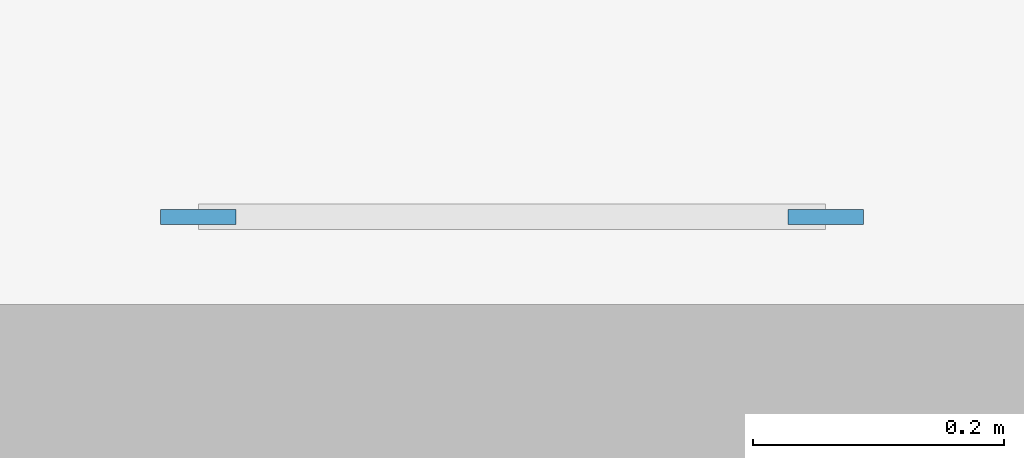
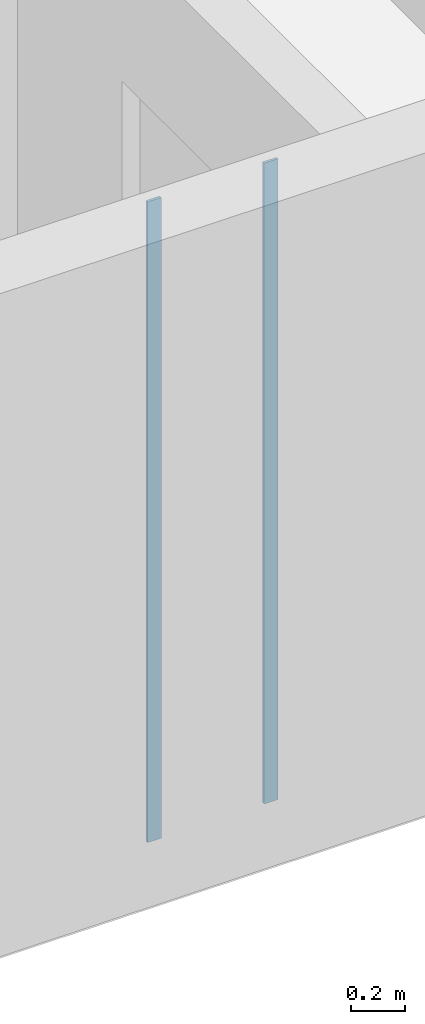
# One storey, part 15 of 122: 2 members.
"""IFC4 building model written with IfcOpenShell, lengths in metres."""

from ifc_helpers import new_model, si_unit, direction, frame, origin, origin_2d, place, context, subcontext, project, spatial, rectangle, extrude, material, material_profile, profile_set, type_object, element, save


model = new_model("IFC4")

# Units and contexts
model_context = context("Model", 3, precision=1e-05, world=origin(), true_north=direction((0.0, 1.0)))
body_context = subcontext(model_context, "Body", "Model", "MODEL_VIEW")
ifc_project = project(units=[si_unit("LENGTHUNIT", "METRE"), si_unit("AREAUNIT", "SQUARE_METRE"), si_unit("VOLUMEUNIT", "CUBIC_METRE"), si_unit("PLANEANGLEUNIT", "RADIAN"), si_unit("MASSUNIT", "GRAM", prefix="KILO")], contexts=[model_context])

# Site, building, storey
site_placement = place(None, origin())
site = spatial("IfcSite", under=ifc_project, at=site_placement, CompositionType="ELEMENT")
building_placement = place(site_placement, origin())
building = spatial("IfcBuilding", under=site, at=building_placement, Name="Ridgestep Commons", CompositionType="ELEMENT")
storey_placement = place(building_placement, frame((0.0, 0.0, 3.0)))
storey = spatial("IfcBuildingStorey", under=building, at=storey_placement, Name="L01", CompositionType="ELEMENT", Elevation=3.0)

# Members
ifc_material = material(Name="Structural steel S355JR", Category="steel")
ifc_material_profile = material_profile(ifc_material, rectangle(XDim=0.06005859375, YDim=0.011962890625, at=origin_2d()), Name="Ladder stile FB 60 x 12")
ifc_profile_set = profile_set([ifc_material_profile], Name="Structural steel S355JR")
member_type = type_object("IfcMemberType", Name="Ladder stile FB 60 x 12", PredefinedType="USERDEFINED", material=ifc_profile_set)
for number, where, z_axis, x_axis, name in (
    (1, (102.300048828125, 37.820068359375, 0.0), (0.0, 0.0, 1.0), (1.0, 0.0, 0.0), "Fixed ladder stile"),
    (2, (101.800048828125, 37.820068359375, 0.0), (0.0, 0.0, 1.0), (1.0, 0.0, 0.0), "Fixed ladder stile"),
):
    element("IfcMember", number, at=place(storey_placement, frame(where, z_axis=z_axis, x_axis=x_axis)), inside=storey, type_object=member_type, Name=name, ObjectType="Ladder stile", PredefinedType="USERDEFINED", context=body_context, shape_type="SweptSolid", body=[
        extrude(rectangle(XDim=0.06005859375, YDim=0.011962890625, at=origin_2d()), origin(), (0.0, 0.0, 1.0), 2.89990234375),
    ])

save(model, "model.ifc")
